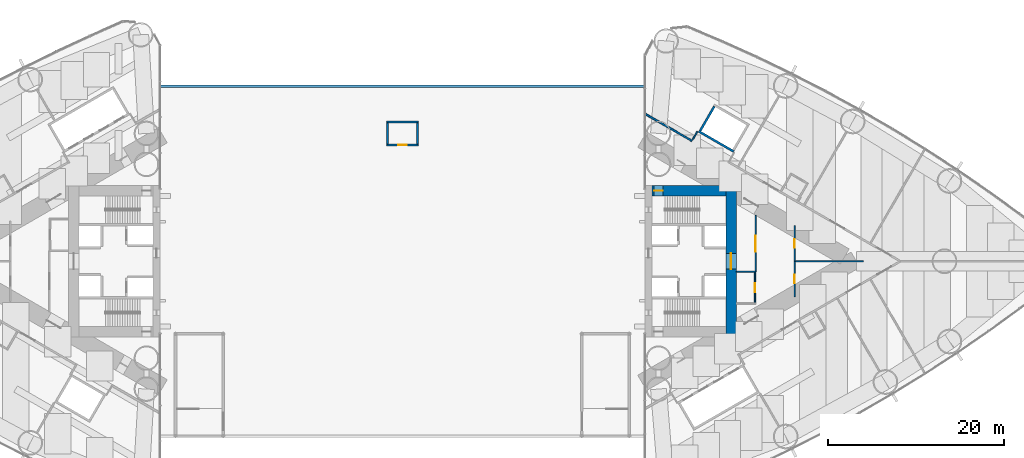
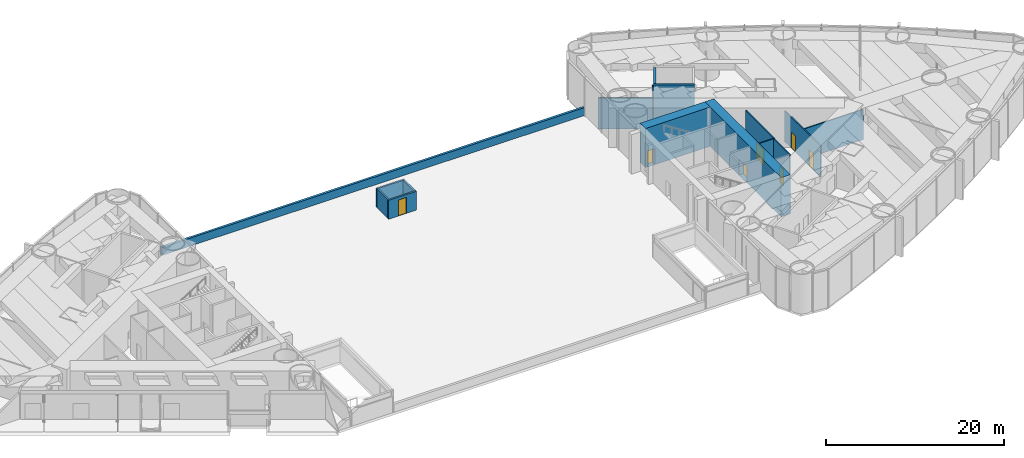
# One storey, part 20 of 23: 16 walls, 7 doors, 7 openings.
"""IFC4 building model written with IfcOpenShell, lengths in metres."""

from ifc_helpers import new_model, si_unit, direction, frame, frame_2d, origin, place, context, subcontext, project, spatial, rectangle, extrude, material, layer, layer_set, type_object, element, fill, save


model = new_model("IFC4")

# Units and contexts
model_context = context("Model", 3, precision=1e-05, world=origin(), true_north=direction((0.0, 1.0)))
body_context = subcontext(model_context, "Body", "Model", "MODEL_VIEW")
ifc_project = project(units=[si_unit("LENGTHUNIT", "METRE"), si_unit("AREAUNIT", "SQUARE_METRE"), si_unit("VOLUMEUNIT", "CUBIC_METRE"), si_unit("PLANEANGLEUNIT", "RADIAN"), si_unit("MASSUNIT", "GRAM", prefix="KILO")], contexts=[model_context])

# Site, building, storey
site_placement = place(None, origin())
site = spatial("IfcSite", under=ifc_project, at=site_placement, CompositionType="ELEMENT")
building_placement = place(site_placement, origin())
building = spatial("IfcBuilding", under=site, at=building_placement, Name="Lancet Gate Hotel", CompositionType="ELEMENT")
storey_placement = place(building_placement, frame((0.0, 0.0, 12.60009765625)))
storey = spatial("IfcBuildingStorey", under=building, at=storey_placement, Name="L02", CompositionType="ELEMENT", Elevation=12.60009765625)

# Wall, opening, door
ifc_material_1 = material(Name="Concrete C70/85", Category="concrete")
ifc_layer_1 = layer(ifc_material_1, 1.199951171875)
ifc_layer_set_1 = layer_set([ifc_layer_1], Name="Core wall 1200")
wall_type_1 = type_object("IfcWallType", Name="Core wall 1200", PredefinedType="SHEAR", material=ifc_layer_set_1)
wall_1_placement = place(storey_placement, frame((37.300048828125, -8.60009765625, 0.0), z_axis=(0.0, 0.0, 1.0), x_axis=(0.0, 1.0, 0.0)))
wall_1 = element("IfcWall", 1, at=wall_1_placement, inside=storey, type_object=wall_type_1, Name="T2 core wall back L02", PredefinedType="SHEAR", context=body_context, shape_type="SweptSolid", body=[
    extrude(rectangle(XDim=17.2001953125, YDim=1.199951171875, at=frame_2d((8.60009765625, 0.0))), origin(), (0.0, 0.0, 1.0), 5.39990234375),
])
opening_1_placement = place(wall_1_placement, frame((7.699951171875, 0.0, 0.0)))
opening_1 = element("IfcOpeningElement", 2, at=opening_1_placement, cuts=wall_1, Name="Opening T2-L02-LL", PredefinedType="OPENING", context=body_context, shape_type="SweptSolid", body=[
    extrude(rectangle(XDim=1.800048828125, YDim=2.199951171875, at=frame_2d((0.89990234375, 1.10009765625))), frame((0.0, 0.60986328125, 0.0), z_axis=(0.0, -1.0, 0.0), x_axis=(1.0, 0.0, 0.0)), (0.0, 0.0, 1.0), 1.219970703125),
])
ifc_material_2 = material(Name="Timber door set", Category="wood")
door_type_1 = type_object("IfcDoorType", Name="Lobby double door 1800", OperationType="DOUBLE_DOOR_SINGLE_SWING", PredefinedType="DOOR", material=ifc_material_2)
door_1_placement = place(opening_1_placement, origin())
door_1 = element("IfcDoor", 3, at=door_1_placement, inside=storey, type_object=door_type_1, Name="T2-L02-LL", OperationType="DOUBLE_DOOR_SINGLE_SWING", OverallHeight=2.199951171875, OverallWidth=1.800048828125, PredefinedType="DOOR", context=body_context, shape_type="SweptSolid", body=[
    extrude(rectangle(XDim=1.800048828125, YDim=2.199951171875, at=frame_2d((0.89990234375, 1.10009765625))), frame((0.0, 0.02490234375, 0.0), z_axis=(0.0, -1.0, 0.0), x_axis=(1.0, 0.0, 0.0)), (0.0, 0.0, 1.0), 0.050048828125),
])
fill(opening_1, door_1)

wall_2_placement = place(storey_placement, frame((28.300048828125, 8.0, 0.0), z_axis=(0.0, 0.0, 1.0), x_axis=(1.0, 0.0, 0.0)))
wall_2 = element("IfcWall", 4, at=wall_2_placement, inside=storey, type_object=wall_type_1, Name="T2 core wall side-N L02", PredefinedType="SHEAR", context=body_context, shape_type="SweptSolid", body=[
    extrude(rectangle(XDim=8.39990234375, YDim=1.199951171875, at=frame_2d((4.199951171875, 0.0))), origin(), (0.0, 0.0, 1.0), 5.39990234375),
])
opening_2_placement = place(wall_2_placement, frame((0.25, 0.0, 0.0)))
opening_2 = element("IfcOpeningElement", 5, at=opening_2_placement, cuts=wall_2, Name="Opening T2-L02-ST2", PredefinedType="OPENING", context=body_context, shape_type="SweptSolid", body=[
    extrude(rectangle(XDim=1.0, YDim=2.199951171875, at=frame_2d((0.5, 1.10009765625))), frame((0.0, 0.60986328125, 0.0), z_axis=(0.0, -1.0, 0.0), x_axis=(1.0, 0.0, 0.0)), (0.0, 0.0, 1.0), 1.219970703125),
])
ifc_material_3 = material(Name="Timber door set", Category="wood")
door_type_2 = type_object("IfcDoorType", Name="Stair door 1000", OperationType="SINGLE_SWING_RIGHT", PredefinedType="DOOR", material=ifc_material_3)
door_2_placement = place(opening_2_placement, origin())
door_2 = element("IfcDoor", 6, at=door_2_placement, inside=storey, type_object=door_type_2, Name="T2-L02-ST2", OperationType="SINGLE_SWING_RIGHT", OverallHeight=2.199951171875, OverallWidth=1.0, PredefinedType="DOOR", context=body_context, shape_type="SweptSolid", body=[
    extrude(rectangle(XDim=1.0, YDim=2.199951171875, at=frame_2d((0.5, 1.10009765625))), frame((0.0, 0.02490234375, 0.0), z_axis=(0.0, -1.0, 0.0), x_axis=(1.0, 0.0, 0.0)), (0.0, 0.0, 1.0), 0.050048828125),
])
fill(opening_2, door_2)

# Walls
ifc_material_4 = material(Name="Gypsum board partition")
ifc_layer_2 = layer(ifc_material_4, 0.199951171875)
ifc_layer_set_2 = layer_set([ifc_layer_2], Name="Corridor wall 200")
wall_type_2 = type_object("IfcWallType", Name="Corridor wall 200", PredefinedType="PARTITIONING", material=ifc_layer_set_2)
wall_3_placement = place(storey_placement, frame((27.5, 16.744384765625, 0.0), z_axis=(0.0, 0.0, 1.0), x_axis=(0.866035319247, -0.499982825521, 0.0)))
element("IfcWall", 7, at=wall_3_placement, inside=storey, type_object=wall_type_2, Name="T2 corridor wall 200 L02", PredefinedType="PARTITIONING", context=body_context, shape_type="SweptSolid", body=[
    extrude(rectangle(XDim=6.168701171875, YDim=0.199951171875, at=frame_2d((3.08447265625, 0.0))), origin(), (0.0, 0.0, 1.0), 4.25),
])
ifc_material_5 = material(Name="Gypsum board partition")
ifc_layer_3 = layer(ifc_material_5, 0.25)
ifc_layer_set_3 = layer_set([ifc_layer_3], Name="Lift shaft partition 250")
wall_type_3 = type_object("IfcWallType", Name="Lift shaft partition 250", PredefinedType="PARTITIONING", material=ifc_layer_set_3)
wall_4_placement = place(storey_placement, frame((33.6083984375, 14.747314453125, 0.0), z_axis=(0.0, 0.0, 1.0), x_axis=(0.866043305498, -0.49996899204, 0.0)))
element("IfcWall", 8, at=wall_4_placement, inside=storey, type_object=wall_type_3, Name="T2 lift shaft wall EX L02", PredefinedType="PARTITIONING", context=body_context, shape_type="SweptSolid", body=[
    extrude(rectangle(XDim=4.600341796875, YDim=0.25, at=frame_2d((2.30029296875, 0.0))), origin(), (0.0, 0.0, 1.0), 5.14990234375),
])
wall_5_placement = place(storey_placement, frame((33.779296875, 14.79296875, 0.0), z_axis=(0.0, 0.0, 1.0), x_axis=(0.499929347863, 0.866066190972, 0.0)))
element("IfcWall", 9, at=wall_5_placement, inside=storey, type_object=wall_type_3, Name="T2 lift shaft wall EX L02", PredefinedType="PARTITIONING", context=body_context, shape_type="SweptSolid", body=[
    extrude(rectangle(XDim=3.20068359375, YDim=0.25, at=frame_2d((1.600341796875, 0.0))), origin(), (0.0, 0.0, 1.0), 5.14990234375),
])
ifc_material_6 = material(Name="Concrete C40/50", Category="concrete")
ifc_layer_4 = layer(ifc_material_6, 0.300048828125)
ifc_layer_set_4 = layer_set([ifc_layer_4], Name="Parapet wall 300")
wall_type_4 = type_object("IfcWallType", Name="Parapet wall 300", PredefinedType="PARAPET", material=ifc_layer_set_4)
wall_6_placement = place(storey_placement, frame((-27.449951171875, 19.85009765625, 0.0), z_axis=(0.0, 0.0, 1.0), x_axis=(1.0, 0.0, 0.0)))
element("IfcWall", 10, at=wall_6_placement, inside=storey, type_object=wall_type_4, Name="Podium roof parapet N1", PredefinedType="PARAPET", context=body_context, shape_type="SweptSolid", body=[
    extrude(rectangle(XDim=54.89990234375, YDim=0.300048828125, at=frame_2d((27.449951171875, 0.0))), origin(), (0.0, 0.0, 1.0), 1.099853515625),
])

# Wall, opening, door
ifc_material_7 = material(Name="Dense concrete blockwork", Category="masonry")
ifc_layer_5 = layer(ifc_material_7, 0.199951171875)
ifc_layer_set_5 = layer_set([ifc_layer_5], Name="Roof access store wall 200")
wall_type_5 = type_object("IfcWallType", Name="Roof access store wall 200", PredefinedType="SOLIDWALL", material=ifc_layer_set_5)
wall_7_placement = place(storey_placement, frame((-1.800048828125, 13.199951171875, 0.0), z_axis=(0.0, 0.0, 1.0), x_axis=(1.0, 0.0, 0.0)))
wall_7 = element("IfcWall", 11, at=wall_7_placement, inside=storey, type_object=wall_type_5, Name="Podium roof access store wall south", PredefinedType="SOLIDWALL", context=body_context, shape_type="SweptSolid", body=[
    extrude(rectangle(XDim=3.60009765625, YDim=0.199951171875, at=frame_2d((1.800048828125, 0.0))), origin(), (0.0, 0.0, 1.0), 2.599853515625),
])
opening_3_placement = place(wall_7_placement, frame((1.300048828125, 0.0, 0.0)))
opening_3 = element("IfcOpeningElement", 12, at=opening_3_placement, cuts=wall_7, Name="Opening POD-RS", PredefinedType="OPENING", context=body_context, shape_type="SweptSolid", body=[
    extrude(rectangle(XDim=1.0, YDim=2.199951171875, at=frame_2d((0.5, 1.10009765625))), frame((0.0, 0.10986328125, 0.0), z_axis=(0.0, -1.0, 0.0), x_axis=(1.0, 0.0, 0.0)), (0.0, 0.0, 1.0), 0.219970703125),
])
ifc_material_8 = material(Name="Steel door set", Category="steel")
door_type_3 = type_object("IfcDoorType", Name="Roof access door 1000 external", OperationType="SINGLE_SWING_LEFT", PredefinedType="DOOR", material=ifc_material_8)
door_3_placement = place(opening_3_placement, origin())
door_3 = element("IfcDoor", 13, at=door_3_placement, inside=storey, type_object=door_type_3, Name="POD-RS", OperationType="SINGLE_SWING_LEFT", OverallHeight=2.199951171875, OverallWidth=1.0, PredefinedType="DOOR", context=body_context, shape_type="SweptSolid", body=[
    extrude(rectangle(XDim=1.0, YDim=2.199951171875, at=frame_2d((0.5, 1.10009765625))), frame((0.0, 0.02490234375, 0.0), z_axis=(0.0, -1.0, 0.0), x_axis=(1.0, 0.0, 0.0)), (0.0, 0.0, 1.0), 0.050048828125),
])
fill(opening_3, door_3)

# Walls
wall_8_placement = place(storey_placement, frame((1.800048828125, 15.800048828125, 0.0), z_axis=(0.0, 0.0, 1.0), x_axis=(-1.0, 0.0, 0.0)))
element("IfcWall", 14, at=wall_8_placement, inside=storey, type_object=wall_type_5, Name="Podium roof access store wall north", PredefinedType="SOLIDWALL", context=body_context, shape_type="SweptSolid", body=[
    extrude(rectangle(XDim=3.60009765625, YDim=0.199951171875, at=frame_2d((1.800048828125, 0.0))), origin(), (0.0, 0.0, 1.0), 2.599853515625),
])
for number, where, z_axis, x_axis, name in (
    (15, (-1.699951171875, 15.699951171875, 0.0), (0.0, 0.0, 1.0), (0.0, -1.0, 0.0), "Podium roof access store wall west"),
    (16, (1.699951171875, 13.300048828125, 0.0), (0.0, 0.0, 1.0), (0.0, 1.0, 0.0), "Podium roof access store wall east"),
):
    element("IfcWall", number, at=place(storey_placement, frame(where, z_axis=z_axis, x_axis=x_axis)), inside=storey, type_object=wall_type_5, Name=name, PredefinedType="SOLIDWALL", context=body_context, shape_type="SweptSolid", body=[
        extrude(rectangle(XDim=2.39990234375, YDim=0.199951171875, at=frame_2d((1.199951171875, 0.0))), origin(), (0.0, 0.0, 1.0), 2.599853515625),
    ])
ifc_material_9 = material(Name="Gypsum board partition")
ifc_layer_6 = layer(ifc_material_9, 0.14990234375)
ifc_layer_set_6 = layer_set([ifc_layer_6], Name="Service room wall 150")
wall_type_6 = type_object("IfcWallType", Name="Service room wall 150", PredefinedType="PARTITIONING", material=ifc_layer_set_6)
wall_9_placement = place(storey_placement, frame((32.892333984375, 13.74658203125, 0.0), z_axis=(0.0, 0.0, 1.0), x_axis=(0.499928262689, 0.866066817379, 0.0)))
element("IfcWall", 17, at=wall_9_placement, inside=storey, type_object=wall_type_6, Name="T2 service room wall 150 L02", PredefinedType="PARTITIONING", context=body_context, shape_type="SweptSolid", body=[
    extrude(rectangle(XDim=1.129638671875, YDim=0.14990234375, at=frame_2d((0.56494140625, 0.0))), origin(), (0.0, 0.0, 1.0), 5.14990234375),
])
wall_10_placement = place(storey_placement, frame((37.89990234375, -1.199951171875, 0.0), z_axis=(0.0, 0.0, 1.0), x_axis=(1.0, 0.0, 0.0)))
element("IfcWall", 18, at=wall_10_placement, inside=storey, type_object=wall_type_6, Name="T2 service room wall 150 L02", PredefinedType="PARTITIONING", context=body_context, shape_type="SweptSolid", body=[
    extrude(rectangle(XDim=2.175048828125, YDim=0.14990234375, at=frame_2d((1.08740234375, 0.0))), origin(), (0.0, 0.0, 1.0), 5.14990234375),
])

# Wall, opening, door
wall_11_placement = place(storey_placement, frame((40.0, -4.875, 0.0), z_axis=(0.0, 0.0, 1.0), x_axis=(0.0, 1.0, 0.0)))
wall_11 = element("IfcWall", 19, at=wall_11_placement, inside=storey, type_object=wall_type_6, Name="T2 service room wall 150 L02", PredefinedType="PARTITIONING", context=body_context, shape_type="SweptSolid", body=[
    extrude(rectangle(XDim=3.75, YDim=0.14990234375, at=frame_2d((1.875, 0.0))), origin(), (0.0, 0.0, 1.0), 5.14990234375),
])
opening_4_placement = place(wall_11_placement, frame((1.375, 0.0, 0.0)))
opening_4 = element("IfcOpeningElement", 20, at=opening_4_placement, cuts=wall_11, Name="Opening T2-L02-HRS0", PredefinedType="OPENING", context=body_context, shape_type="SweptSolid", body=[
    extrude(rectangle(XDim=1.0, YDim=2.199951171875, at=frame_2d((0.5, 1.10009765625))), frame((0.0, 0.0849609375, 0.0), z_axis=(0.0, -1.0, 0.0), x_axis=(1.0, 0.0, 0.0)), (0.0, 0.0, 1.0), 0.169921875),
])
ifc_material_10 = material(Name="Timber door set", Category="wood")
door_type_4 = type_object("IfcDoorType", Name="Service door 1000", OperationType="SINGLE_SWING_LEFT", PredefinedType="DOOR", material=ifc_material_10)
door_4_placement = place(opening_4_placement, origin())
door_4 = element("IfcDoor", 21, at=door_4_placement, inside=storey, type_object=door_type_4, Name="T2-L02-HRS0", OperationType="SINGLE_SWING_LEFT", OverallHeight=2.199951171875, OverallWidth=1.0, PredefinedType="DOOR", context=body_context, shape_type="SweptSolid", body=[
    extrude(rectangle(XDim=1.0, YDim=2.199951171875, at=frame_2d((0.5, 1.10009765625))), frame((0.0, 0.02490234375, 0.0), z_axis=(0.0, -1.0, 0.0), x_axis=(1.0, 0.0, 0.0)), (0.0, 0.0, 1.0), 0.050048828125),
])
fill(opening_4, door_4)

wall_12_placement = place(storey_placement, frame((40.074951171875, -1.199951171875, 0.0), z_axis=(0.0, 0.0, 1.0), x_axis=(0.0, 1.0, 0.0)))
wall_12 = element("IfcWall", 22, at=wall_12_placement, inside=storey, type_object=wall_type_6, Name="T2 service room wall 150 L02", PredefinedType="PARTITIONING", context=body_context, shape_type="SweptSolid", body=[
    extrude(rectangle(XDim=6.411865234375, YDim=0.14990234375, at=frame_2d((3.2060546875, 0.0))), origin(), (0.0, 0.0, 1.0), 5.14990234375),
])
opening_5_placement = place(wall_12_placement, frame((2.305908203125, 0.0, 0.0)))
opening_5 = element("IfcOpeningElement", 23, at=opening_5_placement, cuts=wall_12, Name="Opening T2-L02-LH", PredefinedType="OPENING", context=body_context, shape_type="SweptSolid", body=[
    extrude(rectangle(XDim=1.800048828125, YDim=2.199951171875, at=frame_2d((0.89990234375, 1.10009765625))), frame((0.0, 0.0849609375, 0.0), z_axis=(0.0, -1.0, 0.0), x_axis=(1.0, 0.0, 0.0)), (0.0, 0.0, 1.0), 0.169921875),
])
door_5_placement = place(opening_5_placement, origin())
door_5 = element("IfcDoor", 24, at=door_5_placement, inside=storey, type_object=door_type_1, Name="T2-L02-LH", OperationType="DOUBLE_DOOR_SINGLE_SWING", OverallHeight=2.199951171875, OverallWidth=1.800048828125, PredefinedType="DOOR", context=body_context, shape_type="SweptSolid", body=[
    extrude(rectangle(XDim=1.800048828125, YDim=2.199951171875, at=frame_2d((0.89990234375, 1.10009765625))), frame((0.0, 0.02490234375, 0.0), z_axis=(0.0, -1.0, 0.0), x_axis=(1.0, 0.0, 0.0)), (0.0, 0.0, 1.0), 0.050048828125),
])
fill(opening_5, door_5)

# Wall, openings, doors
wall_13_placement = place(storey_placement, frame((44.5, -4.042724609375, 0.0), z_axis=(0.0, 0.0, 1.0), x_axis=(0.0, 1.0, 0.0)))
wall_13 = element("IfcWall", 25, at=wall_13_placement, inside=storey, type_object=wall_type_6, Name="T2 service room wall 150 L02", PredefinedType="PARTITIONING", context=body_context, shape_type="SweptSolid", body=[
    extrude(rectangle(XDim=8.08544921875, YDim=0.14990234375, at=frame_2d((4.042724609375, 0.0))), origin(), (0.0, 0.0, 1.0), 4.25),
])
opening_6_placement = place(wall_13_placement, frame((1.521484375, 0.0, 0.0)))
opening_6 = element("IfcOpeningElement", 26, at=opening_6_placement, cuts=wall_13, Name="Opening T2-L02-SV", PredefinedType="OPENING", context=body_context, shape_type="SweptSolid", body=[
    extrude(rectangle(XDim=1.0, YDim=2.199951171875, at=frame_2d((0.5, 1.10009765625))), frame((0.0, 0.0849609375, 0.0), z_axis=(0.0, -1.0, 0.0), x_axis=(1.0, 0.0, 0.0)), (0.0, 0.0, 1.0), 0.169921875),
])
opening_7_placement = place(wall_13_placement, frame((5.564208984375, 0.0, 0.0)))
opening_7 = element("IfcOpeningElement", 27, at=opening_7_placement, cuts=wall_13, Name="Opening T2-L02-SV2", PredefinedType="OPENING", context=body_context, shape_type="SweptSolid", body=[
    extrude(rectangle(XDim=1.0, YDim=2.199951171875, at=frame_2d((0.5, 1.10009765625))), frame((0.0, 0.0849609375, 0.0), z_axis=(0.0, -1.0, 0.0), x_axis=(1.0, 0.0, 0.0)), (0.0, 0.0, 1.0), 0.169921875),
])
door_6_placement = place(opening_6_placement, origin())
door_6 = element("IfcDoor", 28, at=door_6_placement, inside=storey, type_object=door_type_4, Name="T2-L02-SV", OperationType="SINGLE_SWING_LEFT", OverallHeight=2.199951171875, OverallWidth=1.0, PredefinedType="DOOR", context=body_context, shape_type="SweptSolid", body=[
    extrude(rectangle(XDim=1.0, YDim=2.199951171875, at=frame_2d((0.5, 1.10009765625))), frame((0.0, 0.02490234375, 0.0), z_axis=(0.0, -1.0, 0.0), x_axis=(1.0, 0.0, 0.0)), (0.0, 0.0, 1.0), 0.050048828125),
])
fill(opening_6, door_6)
door_7_placement = place(opening_7_placement, origin())
door_7 = element("IfcDoor", 29, at=door_7_placement, inside=storey, type_object=door_type_4, Name="T2-L02-SV2", OperationType="SINGLE_SWING_LEFT", OverallHeight=2.199951171875, OverallWidth=1.0, PredefinedType="DOOR", context=body_context, shape_type="SweptSolid", body=[
    extrude(rectangle(XDim=1.0, YDim=2.199951171875, at=frame_2d((0.5, 1.10009765625))), frame((0.0, 0.02490234375, 0.0), z_axis=(0.0, -1.0, 0.0), x_axis=(1.0, 0.0, 0.0)), (0.0, 0.0, 1.0), 0.050048828125),
])
fill(opening_7, door_7)

# Wall
wall_14_placement = place(storey_placement, frame((44.574951171875, 0.0, 0.0), z_axis=(0.0, 0.0, 1.0), x_axis=(1.0, 0.0, 0.0)))
element("IfcWall", 30, at=wall_14_placement, inside=storey, type_object=wall_type_6, Name="T2 service room wall 150 L02", PredefinedType="PARTITIONING", context=body_context, shape_type="SweptSolid", body=[
    extrude(rectangle(XDim=7.727294921875, YDim=0.14990234375, at=frame_2d((3.86376953125, 0.0))), origin(), (0.0, 0.0, 1.0), 4.14990234375),
])

save(model, "model.ifc")
